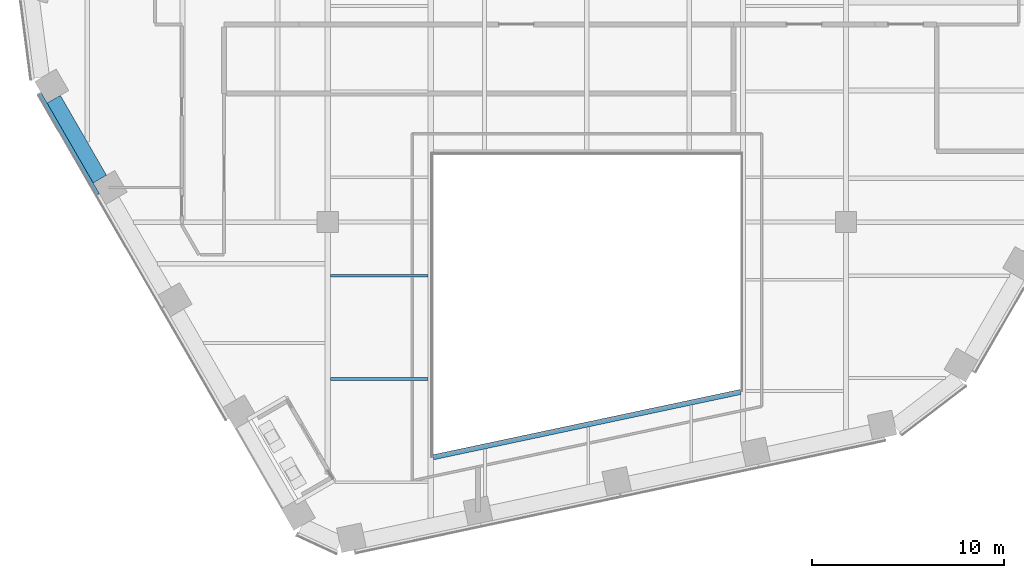
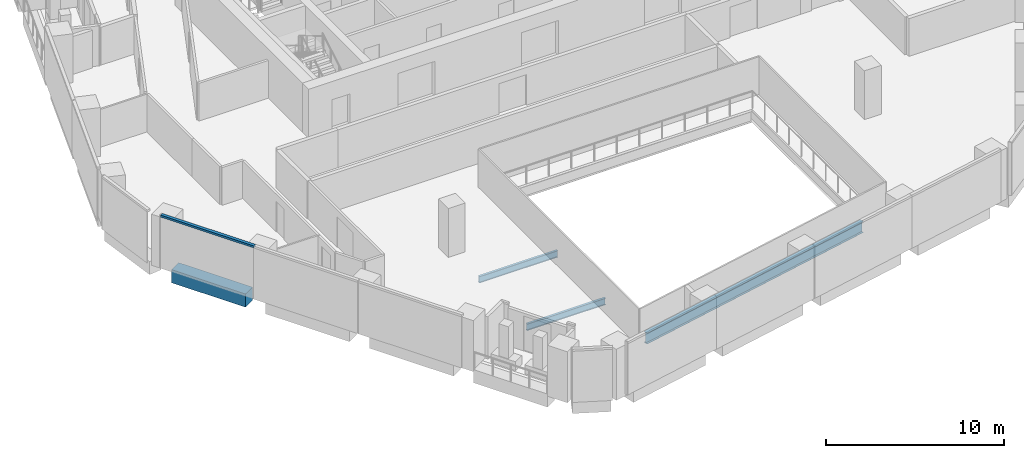
# One storey, part 3 of 26: 4 beams, 1 member, 1 element without a shape of its own.
"""IFC4 building model written with IfcOpenShell, lengths in metres."""

import ifcopenshell
import ifcopenshell.guid

model = None  # the IFC model being written
_history = None  # IfcOwnerHistory: only IFC2X3 demands one
_inside = {}  # id of a spatial element -> (the spatial element, [elements in it])
_under = {}  # id of a project, library or spatial element -> (it, [spatial elements below it])
_declared = {}  # id of a project -> (the project, [libraries it declares])
_typed = {}  # id of a type object -> (the type object, [elements of that type])
_made_of = {}  # id of a material, layer set ... -> (it, [elements and type objects made of it])


def new_model(schema):
    """Start an empty IFC model of exactly this schema.

    Asked for "IFC4X3", IfcOpenShell would pick the latest addendum, in which some entities
    have other attributes; the version numbers below select the first issue.
    IFC2X3 requires an IfcOwnerHistory on every rooted entity: one is made here for all.
    """
    global model, _history
    if schema == "IFC4X3":
        model = ifcopenshell.file(schema_version=(4, 3, 0, 0))
    else:
        model = ifcopenshell.file(schema=schema)
    _inside.clear()
    _under.clear()
    _declared.clear()
    _typed.clear()
    _made_of.clear()
    _history = None
    if model.schema == "IFC2X3":
        org = make("IfcOrganization", Name="unknown")
        user = make(
            "IfcPersonAndOrganization",
            ThePerson=make("IfcPerson", FamilyName="unknown"),
            TheOrganization=org,
        )
        app = make(
            "IfcApplication",
            ApplicationDeveloper=org,
            Version="unknown",
            ApplicationFullName="unknown",
            ApplicationIdentifier="unknown",
        )
        _history = make(
            "IfcOwnerHistory",
            OwningUser=user,
            OwningApplication=app,
            ChangeAction="ADDED",
            CreationDate=0,
        )
    return model


def make(cls, **values):
    """One entity of the class cls with the attributes given. An attribute that is None is left unset."""
    return model.create_entity(
        cls, **{name: value for name, value in values.items() if value is not None}
    )


def rooted(cls, **values):
    """An entity with a GlobalId (a new one), such as an element, a storey or a relation."""
    return make(cls, GlobalId=ifcopenshell.guid.new(), OwnerHistory=_history, **values)


def si_unit(unit_type, name, prefix=None):
    """IfcSIUnit, for example si_unit("LENGTHUNIT", "METRE", prefix="MILLI")."""
    return make("IfcSIUnit", UnitType=unit_type, Prefix=prefix, Name=name)


def assignment(units):
    """IfcUnitAssignment: the units of a project."""
    return None if units is None else make("IfcUnitAssignment", Units=units)


def point(xyz):
    """IfcCartesianPoint."""
    return None if xyz is None else make("IfcCartesianPoint", Coordinates=xyz)


def direction(xyz):
    """IfcDirection."""
    return None if xyz is None else make("IfcDirection", DirectionRatios=xyz)


def frame(location, z_axis=None, x_axis=None):
    """IfcAxis2Placement3D, a coordinate frame: its origin and axes. An axis left out is left unset."""
    return make(
        "IfcAxis2Placement3D",
        Location=point(location),
        Axis=direction(z_axis),
        RefDirection=direction(x_axis),
    )


def frame_2d(location, x_axis=None):
    """IfcAxis2Placement2D, a coordinate frame in the plane: its origin and x axis."""
    return make(
        "IfcAxis2Placement2D", Location=point(location), RefDirection=direction(x_axis)
    )


def origin():
    """The frame at (0, 0, 0) with its axes left unset."""
    return frame((0.0, 0.0, 0.0))


def origin_2d():
    """The frame at (0, 0) in the plane with its x axis left unset."""
    return frame_2d((0.0, 0.0))


def place(relative_to, where):
    """IfcLocalPlacement: puts the frame where relative to a parent placement (None: the world)."""
    return make(
        "IfcLocalPlacement", PlacementRelTo=relative_to, RelativePlacement=where
    )


def context(
    kind, dimensions, precision=None, world=None, true_north=None, identifier=None
):
    """IfcGeometricRepresentationContext, for example the 3D "Model" context."""
    return make(
        "IfcGeometricRepresentationContext",
        ContextIdentifier=identifier,
        ContextType=kind,
        CoordinateSpaceDimension=dimensions,
        Precision=precision,
        WorldCoordinateSystem=world,
        TrueNorth=true_north,
    )


def subcontext(parent, identifier, kind, view, scale=None):
    """IfcGeometricRepresentationSubContext, for example "Body" below "Model"."""
    return make(
        "IfcGeometricRepresentationSubContext",
        ContextIdentifier=identifier,
        ContextType=kind,
        ParentContext=parent,
        TargetScale=scale,
        TargetView=view,
    )


def project(units=None, contexts=None):
    """IfcProject with its units and contexts."""
    return rooted(
        "IfcProject",
        Name="project",
        RepresentationContexts=contexts,
        UnitsInContext=assignment(units),
    )


def spatial(cls, under=None, at=None, **own):
    """A site, building, storey or space (cls), placed at a placement, below another one or the project."""
    s = rooted(cls, ObjectPlacement=at, **own)
    if under is not None:
        _under.setdefault(under.id(), (under, []))[1].append(s)
    return s


def profile(cls, at=None, kind="AREA", **sizes):
    """A parametric profile (cls). Its sizes go by their IFC names, for example OverallWidth=200.0."""
    return make(cls, ProfileType=kind, Position=at, **sizes)


def rectangle(**sizes):
    """IfcRectangleProfileDef."""
    return profile("IfcRectangleProfileDef", **sizes)


def i_section(**sizes):
    """IfcIShapeProfileDef."""
    return profile("IfcIShapeProfileDef", **sizes)


def extrude(swept, where, along, depth):
    """IfcExtrudedAreaSolid: the profile swept, set in the frame where, extruded along a direction by depth."""
    return make(
        "IfcExtrudedAreaSolid",
        SweptArea=swept,
        Position=where,
        ExtrudedDirection=direction(along),
        Depth=depth,
    )


def shape(context_of_items, identifier, shape_type, items):
    """IfcShapeRepresentation: the items that make up one representation, for example the "Body"."""
    return make(
        "IfcShapeRepresentation",
        ContextOfItems=context_of_items,
        RepresentationIdentifier=identifier,
        RepresentationType=shape_type,
        Items=items,
    )


def material(Name=None, Category=None):
    """IfcMaterial."""
    return make("IfcMaterial", Name=Name, Category=Category)


def layer(
    of_material, thickness, ventilated=None, Name=None, Category=None, Priority=None
):
    """IfcMaterialLayer: one layer of a wall or slab, of a material (None: an air gap)."""
    return make(
        "IfcMaterialLayer",
        Material=of_material,
        LayerThickness=thickness,
        IsVentilated=ventilated,
        Name=Name,
        Category=Category,
        Priority=Priority,
    )


def layer_set(layers, Name=None):
    """IfcMaterialLayerSet."""
    return make("IfcMaterialLayerSet", MaterialLayers=layers, LayerSetName=Name)


def material_profile(
    of_material, cross_section, Name=None, Category=None, Priority=None
):
    """IfcMaterialProfile: a cross section and its material."""
    return make(
        "IfcMaterialProfile",
        Name=Name,
        Material=of_material,
        Profile=cross_section,
        Priority=Priority,
        Category=Category,
    )


def profile_set(profiles, Name=None, composite=None):
    """IfcMaterialProfileSet."""
    return make(
        "IfcMaterialProfileSet",
        Name=Name,
        MaterialProfiles=profiles,
        CompositeProfile=composite,
    )


def made_of(thing, what):
    """Note that an element or type object is made of a material, layer set ...; save() writes the relation."""
    if what is not None:
        _made_of.setdefault(what.id(), (what, []))[1].append(thing)
    return thing


def type_object(cls, material=None, **own):
    """A type object (cls), such as IfcWallType, which elements share."""
    return made_of(rooted(cls, **own), material)


def element(
    cls,
    number,
    at=None,
    inside=None,
    cuts=None,
    type_object=None,
    material=None,
    context=None,
    identifier="Body",
    shape_type=None,
    held_by="IfcProductDefinitionShape",
    body=None,
    shapes=None,
    **own,
):
    """One element of the class cls, such as IfcWall. Its Tag is "e" and its number.

    at: its placement. inside: the storey or other place that contains it. cuts: it is an
    opening in that element (IfcRelVoidsElement). A single representation is given by context,
    identifier, shape_type and body (its items); several are given by shapes. held_by: the class
    of the entity that holds the representations. save() writes the other relations.
    """
    e = rooted(cls, Tag="e%d" % number, ObjectPlacement=at, **own)
    if body is not None:
        shapes = [shape(context, identifier, shape_type, body)]
    if shapes is not None:
        e.Representation = make(held_by, Representations=shapes)
    if inside is not None:
        _inside.setdefault(inside.id(), (inside, []))[1].append(e)
    if cuts is not None:
        rooted(
            "IfcRelVoidsElement", RelatingBuildingElement=cuts, RelatedOpeningElement=e
        )
    if type_object is not None:
        _typed.setdefault(type_object.id(), (type_object, []))[1].append(e)
    return made_of(e, material)


def aggregate(whole, parts):
    """IfcRelAggregates: a whole, such as a stair, and the parts it consists of."""
    return rooted("IfcRelAggregates", RelatingObject=whole, RelatedObjects=parts)


def save(model, path):
    """Write the relations noted so far, then the file.

    IfcRelAggregates (storeys below a building ...), IfcRelContainedInSpatialStructure (elements
    in a storey), IfcRelDefinesByType, IfcRelAssociatesMaterial and IfcRelDeclares: one each for
    every whole, place, type object, material and project.
    """
    for whole, parts in _under.values():
        aggregate(whole, parts)
    for where, things in _inside.values():
        rooted(
            "IfcRelContainedInSpatialStructure",
            RelatedElements=things,
            RelatingStructure=where,
        )
    for kind, things in _typed.values():
        rooted("IfcRelDefinesByType", RelatedObjects=things, RelatingType=kind)
    for what, things in _made_of.values():
        rooted("IfcRelAssociatesMaterial", RelatedObjects=things, RelatingMaterial=what)
    for by, libraries in _declared.values():
        rooted("IfcRelDeclares", RelatingContext=by, RelatedDefinitions=libraries)
    model.write(path)


model = new_model("IFC4")

# Units and contexts
model_context = context("Model", 3, precision=1e-05, world=origin(), true_north=direction((0.0, 1.0)))
body_context = subcontext(model_context, "Body", "Model", "MODEL_VIEW")
ifc_project = project(units=[si_unit("LENGTHUNIT", "METRE"), si_unit("AREAUNIT", "SQUARE_METRE"), si_unit("VOLUMEUNIT", "CUBIC_METRE"), si_unit("PLANEANGLEUNIT", "RADIAN"), si_unit("MASSUNIT", "GRAM", prefix="KILO")], contexts=[model_context])

# Site, building, storey
site_placement = place(None, origin())
site = spatial("IfcSite", under=ifc_project, at=site_placement, CompositionType="ELEMENT")
building_placement = place(site_placement, origin())
building = spatial("IfcBuilding", under=site, at=building_placement, Name="Isthmus Gate Tower", CompositionType="ELEMENT")
storey_placement = place(building_placement, frame((0.0, 0.0, 203.64990234375)))
storey = spatial("IfcBuildingStorey", under=building, at=storey_placement, Name="L51", CompositionType="ELEMENT", Elevation=203.64990234375)

# Curtain wall, member
ifc_material_1 = material(Name="Aluminium, pale champagne anodised", Category="aluminium")
ifc_layer = layer(ifc_material_1, 0.199951171875)
ifc_layer_set = layer_set([ifc_layer], Name="CW-1 UNITISED CURTAIN WALL 200 DEEP")
curtain_wall_type = type_object("IfcCurtainWallType", Name="CW-1 UNITISED CURTAIN WALL 200 DEEP", PredefinedType="NOTDEFINED", material=ifc_layer_set)
curtain_wall_placement = place(storey_placement, origin())
curtain_wall = element("IfcCurtainWall", 1, at=curtain_wall_placement, inside=storey, type_object=curtain_wall_type, Name="CW-1 SW L51", PredefinedType="NOTDEFINED")
ifc_material_2 = material(Name="Aluminium, pale champagne anodised", Category="aluminium")
ifc_material_profile_1 = material_profile(ifc_material_2, rectangle(XDim=0.199951171875, YDim=0.139892578125, at=origin_2d()), Name="200x140")
ifc_profile_set_1 = profile_set([ifc_material_profile_1], Name="Aluminium, pale champagne anodised")
member_type = type_object("IfcMemberType", Name="CW-1 TRANSOM 200 X 140", PredefinedType="USERDEFINED", material=ifc_profile_set_1)
member_placement = place(storey_placement, frame((-28.49951171875, -6.837158203125, 3.580078125), z_axis=(0.499990697366, -0.866030774596, 0.0), x_axis=(0.866030774596, 0.499990697366, 0.0)))
member = element("IfcMember", 2, at=member_placement, type_object=member_type, Name="CW-1 transom", ObjectType="TRANSOM", PredefinedType="USERDEFINED", context=body_context, shape_type="SweptSolid", body=[
    extrude(rectangle(XDim=0.199951171875, YDim=0.139892578125, at=origin_2d()), origin(), (0.0, 0.0, 1.0), 6.0400390625),
])
aggregate(curtain_wall, [member])

# Beams
ifc_material_3 = material(Name="Concrete f'c 60 MPa", Category="concrete")
ifc_material_profile_2 = material_profile(ifc_material_3, rectangle(XDim=0.800048828125, YDim=0.89990234375, at=origin_2d()), Name="RC 800X900")
ifc_profile_set_2 = profile_set([ifc_material_profile_2], Name="Concrete f'c 60 MPa")
beam_type_1 = type_object("IfcBeamType", Name="RC SPANDREL 800 X 900", PredefinedType="SPANDREL", material=ifc_profile_set_2)
beam_1_placement = place(storey_placement, frame((-25.37158203125, -11.255126953125, -0.449951171875), z_axis=(-0.499979284789, 0.866037363387, 0.0), x_axis=(-0.866037363387, -0.499979284789, 0.0)))
element("IfcBeam", 3, at=beam_1_placement, inside=storey, type_object=beam_type_1, Name="str-spandrel-L51-19", PredefinedType="SPANDREL", context=body_context, shape_type="SweptSolid", body=[
    extrude(rectangle(XDim=0.800048828125, YDim=0.89990234375, at=origin_2d()), origin(), (0.0, 0.0, 1.0), 4.800048828125),
])
ifc_material_4 = material(Name="Structural steel ASTM A992 Gr 50", Category="steel")
ifc_material_profile_3 = material_profile(ifc_material_4, i_section(OverallWidth=0.15234375, OverallDepth=0.45068359375, WebThickness=0.0078125, FlangeThickness=0.010986328125, at=origin_2d()), Name="W18X35")
ifc_profile_set_3 = profile_set([ifc_material_profile_3], Name="Structural steel ASTM A992 Gr 50")
beam_type_2 = type_object("IfcBeamType", Name="STEEL FLOOR BEAM W18X35", PredefinedType="JOIST", material=ifc_profile_set_3)
for number, where, z_axis, x_axis, name in (
    (4, (-13.3681640625, -21.67041015625, -0.375244140625), (1.0, 0.0, 0.0), (0.0, 1.0, 0.0), "str-beam-L51-06-01"),
    (5, (-13.3681640625, -16.293212890625, -0.375244140625), (1.0, 0.0, 0.0), (0.0, 1.0, 0.0), "str-beam-L51-06-02"),
):
    element("IfcBeam", number, at=place(storey_placement, frame(where, z_axis=z_axis, x_axis=x_axis)), inside=storey, type_object=beam_type_2, Name=name, PredefinedType="JOIST", context=body_context, shape_type="SweptSolid", body=[
        extrude(i_section(OverallWidth=0.15234375, OverallDepth=0.45068359375, WebThickness=0.0078125, FlangeThickness=0.010986328125, at=origin_2d()), origin(), (0.0, 0.0, 1.0), 5.1015625),
    ])
ifc_material_5 = material(Name="Structural steel ASTM A992 Gr 50", Category="steel")
ifc_material_profile_4 = material_profile(ifc_material_5, i_section(OverallWidth=0.2666015625, OverallDepth=0.7587890625, WebThickness=0.014404296875, FlangeThickness=0.01904296875, at=origin_2d()), Name="W30X108")
ifc_profile_set_4 = profile_set([ifc_material_profile_4], Name="Structural steel ASTM A992 Gr 50")
beam_type_3 = type_object("IfcBeamType", Name="STEEL TRIMMER W30X108", PredefinedType="BEAM", material=ifc_profile_set_4)
beam_2_placement = place(storey_placement, frame((-8.0, -25.747314453125, -0.529296875), z_axis=(0.978147924985, 0.20791016533, 0.0), x_axis=(-0.20791016533, 0.978147924985, 0.0)))
element("IfcBeam", 6, at=beam_2_placement, inside=storey, type_object=beam_type_3, Name="str-trimmer-L51-03", PredefinedType="BEAM", context=body_context, shape_type="SweptSolid", body=[
    extrude(i_section(OverallWidth=0.2666015625, OverallDepth=0.7587890625, WebThickness=0.014404296875, FlangeThickness=0.01904296875, at=origin_2d()), origin(), (0.0, 0.0, 1.0), 16.357421875),
])

save(model, "model.ifc")
